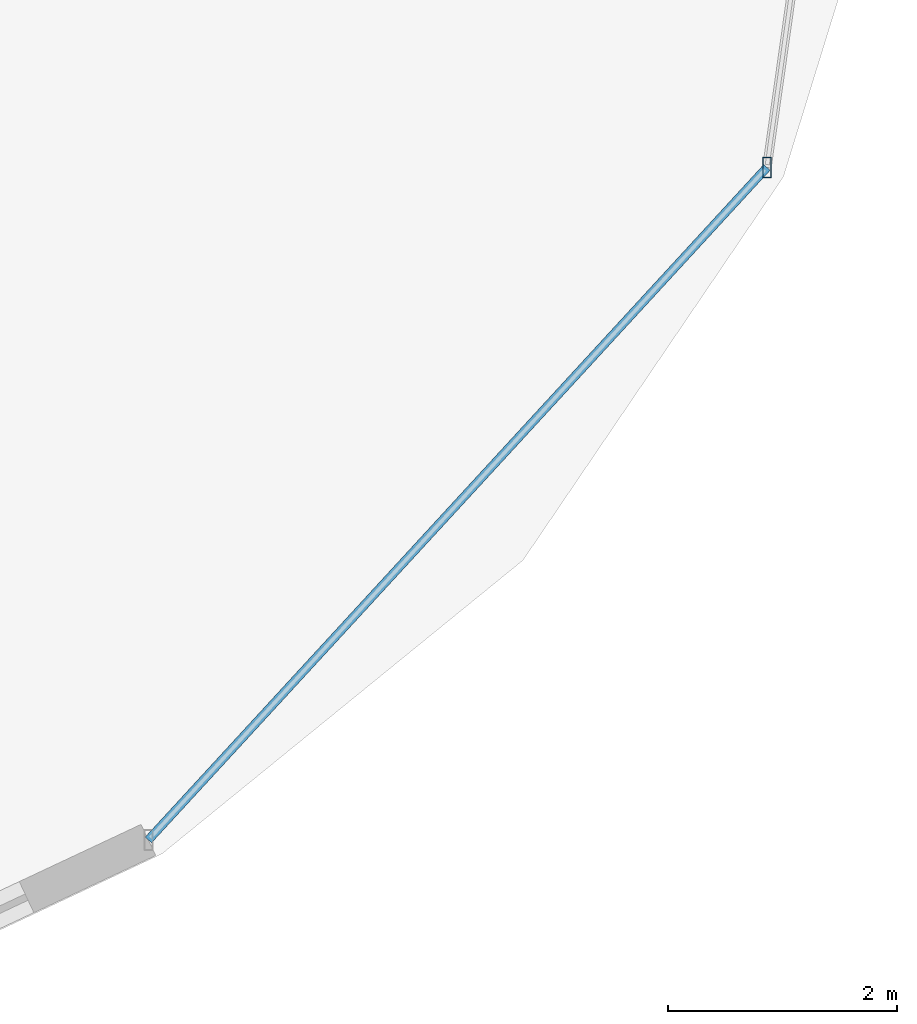
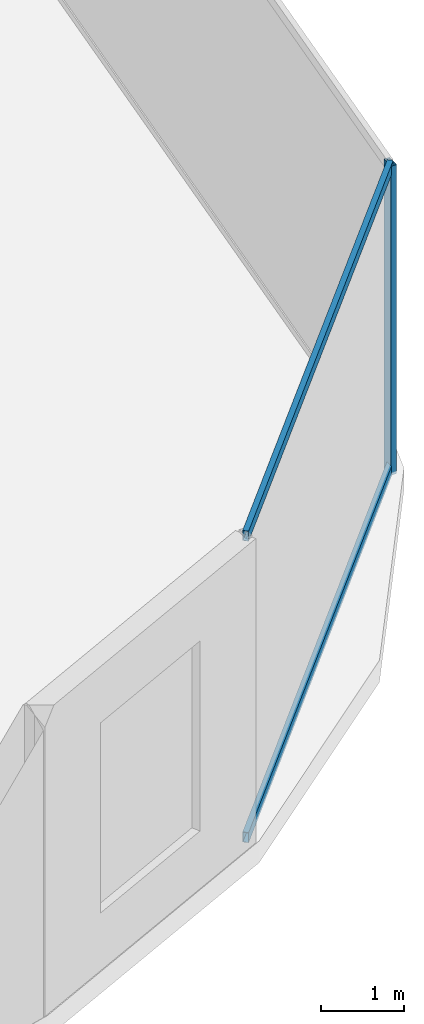
# One storey, part 20 of 30: 3 members, 1 element without a shape of its own.
"""IFC4 building model written with IfcOpenShell, lengths in metres."""

from ifc_helpers import new_model, si_unit, direction, frame, origin, origin_2d, place, context, subcontext, project, spatial, hollow_rectangle, extrude, material, material_profile, profile_set, type_object, element, aggregate, save


model = new_model("IFC4")

# Units and contexts
model_context = context("Model", 3, precision=1e-05, world=origin(), true_north=direction((0.0, 1.0)))
body_context = subcontext(model_context, "Body", "Model", "MODEL_VIEW")
ifc_project = project(units=[si_unit("LENGTHUNIT", "METRE"), si_unit("AREAUNIT", "SQUARE_METRE"), si_unit("VOLUMEUNIT", "CUBIC_METRE"), si_unit("PLANEANGLEUNIT", "RADIAN"), si_unit("MASSUNIT", "GRAM", prefix="KILO")], contexts=[model_context])

# Site, building, storey
site_placement = place(None, origin())
site = spatial("IfcSite", under=ifc_project, at=site_placement, CompositionType="ELEMENT")
building_placement = place(site_placement, origin())
building = spatial("IfcBuilding", under=site, at=building_placement, Name="Vorneva Point Tower", CompositionType="ELEMENT")
storey_placement = place(building_placement, frame((0.0, 0.0, 9.60009765625)))
storey = spatial("IfcBuildingStorey", under=building, at=storey_placement, Name="L02", CompositionType="ELEMENT", Elevation=9.60009765625)

# Curtain wall, members
ifc_material = material(Name="Pale anodised aluminium", Category="aluminium")
curtain_wall_type = type_object("IfcCurtainWallType", Name="CW-POD-SYS", PredefinedType="NOTDEFINED", material=ifc_material)
curtain_wall_placement = place(storey_placement, origin())
curtain_wall = element("IfcCurtainWall", 1, at=curtain_wall_placement, inside=storey, type_object=curtain_wall_type, Name="L02 Unitised Curtain Wall CW-L02-R01", PredefinedType="NOTDEFINED")
ifc_material_profile_1 = material_profile(ifc_material, hollow_rectangle(XDim=0.074951171875, YDim=0.179931640625, WallThickness=0.00390625, at=origin_2d()), Name="AL-MUL 180x75x4")
ifc_profile_set_1 = profile_set([ifc_material_profile_1], Name="Pale anodised aluminium")
member_type_1 = type_object("IfcMemberType", Name="CW-MUL-180", PredefinedType="MULLION", material=ifc_profile_set_1)
member_1_placement = place(storey_placement, frame((71.230712890625, 12.998291015625, -0.0400390625), z_axis=(0.0, 0.0, 1.0), x_axis=(1.0, 0.0, 0.0)))
member_1 = element("IfcMember", 2, at=member_1_placement, type_object=member_type_1, Name="CW-L02-R01 Mullion 02", PredefinedType="MULLION", context=body_context, shape_type="SweptSolid", body=[
    extrude(hollow_rectangle(XDim=0.074951171875, YDim=0.179931640625, WallThickness=0.00390625, at=origin_2d()), origin(), (0.0, 0.0, 1.0), 4.550048828125),
])
ifc_material_profile_2 = material_profile(ifc_material, hollow_rectangle(XDim=0.074951171875, YDim=0.14990234375, WallThickness=0.00390625, at=origin_2d()), Name="AL-TRN 150x75x4")
ifc_profile_set_2 = profile_set([ifc_material_profile_2], Name="Pale anodised aluminium")
member_type_2 = type_object("IfcMemberType", Name="CW-TRN-150", PredefinedType="USERDEFINED", material=ifc_profile_set_2)
member_2_placement = place(storey_placement, frame((65.8212890625, 7.116943359375, 0.02001953125), z_axis=(0.67696055084, 0.736019301789, 0.0), x_axis=(-0.736019301789, 0.67696055084, 0.0)))
member_2 = element("IfcMember", 3, at=member_2_placement, type_object=member_type_2, Name="CW-L02-R01 Transom 01.1", ObjectType="TRANSOM", PredefinedType="USERDEFINED", context=body_context, shape_type="SweptSolid", body=[
    extrude(hollow_rectangle(XDim=0.074951171875, YDim=0.14990234375, WallThickness=0.00390625, at=origin_2d()), origin(), (0.0, 0.0, 1.0), 7.99072265625),
])
member_3_placement = place(storey_placement, frame((65.8212890625, 7.116943359375, 4.4599609375), z_axis=(0.67696055084, 0.736019301789, 0.0), x_axis=(-0.736019301789, 0.67696055084, 0.0)))
member_3 = element("IfcMember", 4, at=member_3_placement, type_object=member_type_2, Name="CW-L02-R01 Transom 01.2", ObjectType="TRANSOM", PredefinedType="USERDEFINED", context=body_context, shape_type="SweptSolid", body=[
    extrude(hollow_rectangle(XDim=0.074951171875, YDim=0.14990234375, WallThickness=0.00390625, at=origin_2d()), origin(), (0.0, 0.0, 1.0), 7.99072265625),
])
aggregate(curtain_wall, [member_1, member_2, member_3])

save(model, "model.ifc")
